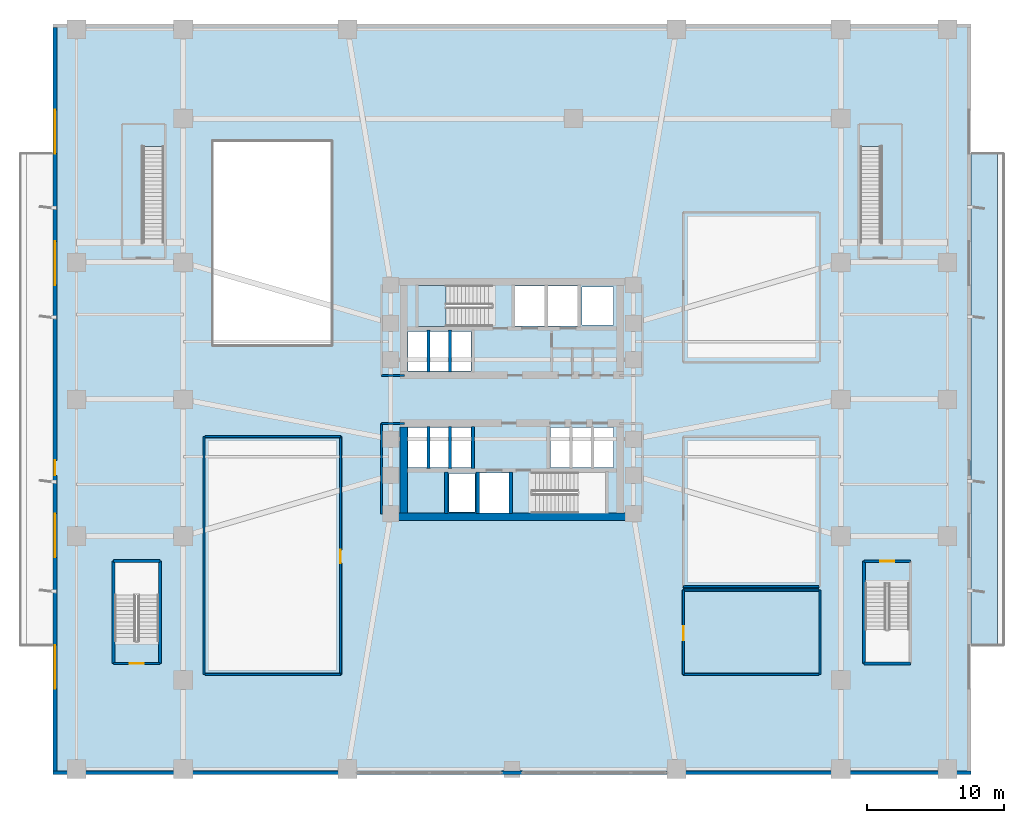
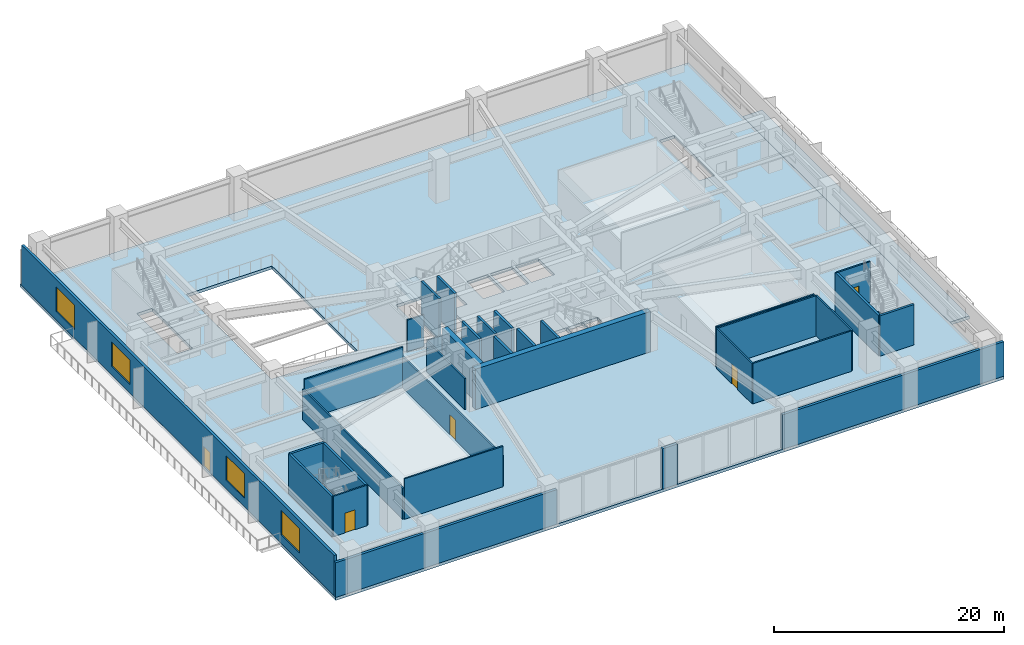
# One storey, part 6 of 13: 33 walls, 5 doors, 4 windows, 3 slabs, 9 openings, 1 element without a shape of its own.
"""IFC4 building model written with IfcOpenShell, lengths in metres."""

from ifc_helpers import new_model, si_unit, direction, frame, frame_2d, origin, place, context, subcontext, project, spatial, polyline, rectangle, outline, extrude, material, layer, layer_set, type_object, element, fill, aggregate, save


model = new_model("IFC4")

# Units and contexts
model_context = context("Model", 3, precision=1e-05, world=origin(), true_north=direction((0.0, 1.0)))
body_context = subcontext(model_context, "Body", "Model", "MODEL_VIEW")
ifc_project = project(units=[si_unit("LENGTHUNIT", "METRE"), si_unit("AREAUNIT", "SQUARE_METRE"), si_unit("VOLUMEUNIT", "CUBIC_METRE"), si_unit("PLANEANGLEUNIT", "RADIAN"), si_unit("MASSUNIT", "GRAM", prefix="KILO")], contexts=[model_context])

# Site, building, storey
site_placement = place(None, origin())
site = spatial("IfcSite", under=ifc_project, at=site_placement, CompositionType="ELEMENT")
building_placement = place(site_placement, origin())
building = spatial("IfcBuilding", under=site, at=building_placement, Name="Solmarez Civic Tower", CompositionType="ELEMENT")
storey_placement = place(building_placement, frame((0.0, 0.0, 14.760009765625)))
storey = spatial("IfcBuildingStorey", under=building, at=storey_placement, Name="L03", CompositionType="ELEMENT", Elevation=14.760009765625)

# Stair, slab
ifc_material_1 = material(Name="Concrete C50/60", Category="concrete")
stair_type = type_object("IfcStairType", Name="STAIR-DOGLEG-140W-26R-1800", PredefinedType="HALF_TURN_STAIR", material=ifc_material_1)
stair_placement = place(storey_placement, origin())
stair = element("IfcStair", 1, at=stair_placement, inside=storey, type_object=stair_type, Name="L03 North Core Protected Exit Stair ST-1", PredefinedType="HALF_TURN_STAIR")
ifc_layer_1 = layer(ifc_material_1, 0.199951171875)
ifc_layer_set_1 = layer_set([ifc_layer_1], Name="Concrete C50/60")
slab_type_1 = type_object("IfcSlabType", Name="SLAB-LANDING-200", PredefinedType="LANDING", material=ifc_layer_set_1)
slab_1_placement = place(storey_placement, frame((0.0, 0.0, 2.139892578125)))
slab_1 = element("IfcSlab", 2, at=slab_1_placement, type_object=slab_type_1, Name="ST-1 landing 1", PredefinedType="LANDING", context=body_context, shape_type="SweptSolid", body=[
    extrude(outline(polyline([(-4.81005859375, 8.320068359375), (-6.85009765625, 8.320068359375), (-6.85009765625, 5.320068359375), (-4.81005859375, 5.320068359375), (-4.81005859375, 8.320068359375)])), origin(), (0.0, 0.0, 1.0), 0.2001953125),
])
aggregate(stair, [slab_1])

# Slabs
ifc_layer_2 = layer(ifc_material_1, 0.320068359375)
ifc_layer_set_2 = layer_set([ifc_layer_2], Name="Concrete C50/60")
slab_type_2 = type_object("IfcSlabType", Name="SLAB-POD-320", PredefinedType="FLOOR", material=ifc_layer_set_2)
slab_2_placement = place(storey_placement, frame((0.0, 0.0, -0.320068359375)))
element("IfcSlab", 3, at=slab_2_placement, inside=storey, type_object=slab_type_2, Name="L03 Structural Slab", PredefinedType="FLOOR", context=body_context, shape_type="SweptSolid", body=[
    extrude(outline(polyline([(33.5, -27.39990234375), (33.5, 27.39990234375), (-33.5, 27.39990234375), (-33.5, -27.39990234375), (33.5, -27.39990234375)]), holes=[polyline([(-1.449951171875, 8.320068359375), (-6.85009765625, 8.320068359375), (-6.85009765625, 5.320068359375), (-1.449951171875, 5.320068359375), (-1.449951171875, 8.320068359375)]), polyline([(1.449951171875, -8.320068359375), (6.85009765625, -8.320068359375), (6.85009765625, -5.320068359375), (1.449951171875, -5.320068359375), (1.449951171875, -8.320068359375)]), polyline([(-25.800048828125, -17.64990234375), (-25.800048828125, -11.89990234375), (-29.0, -11.89990234375), (-29.0, -17.64990234375), (-25.800048828125, -17.64990234375)]), polyline([(25.800048828125, -13.449951171875), (25.800048828125, -19.199951171875), (29.0, -19.199951171875), (29.0, -13.449951171875), (25.800048828125, -13.449951171875)]), polyline([(0.219970703125, 5.360107421875), (2.3798828125, 5.360107421875), (2.3798828125, 8.280029296875), (0.219970703125, 8.280029296875), (0.219970703125, 5.360107421875)]), polyline([(2.6201171875, 5.360107421875), (4.780029296875, 5.360107421875), (4.780029296875, 8.280029296875), (2.6201171875, 8.280029296875), (2.6201171875, 5.360107421875)]), polyline([(-2.3798828125, -8.280029296875), (-0.219970703125, -8.280029296875), (-0.219970703125, -5.360107421875), (-2.3798828125, -5.360107421875), (-2.3798828125, -8.280029296875)]), polyline([(2.800048828125, -4.9599609375), (4.280029296875, -4.9599609375), (4.280029296875, -2.06005859375), (2.800048828125, -2.06005859375), (2.800048828125, -4.9599609375)]), polyline([(4.360107421875, -4.9599609375), (5.840087890625, -4.9599609375), (5.840087890625, -2.06005859375), (4.360107421875, -2.06005859375), (4.360107421875, -4.9599609375)]), polyline([(5.919921875, -4.9599609375), (7.39990234375, -4.9599609375), (7.39990234375, -2.06005859375), (5.919921875, -2.06005859375), (5.919921875, -4.9599609375)]), polyline([(-7.60009765625, -4.9599609375), (-6.1201171875, -4.9599609375), (-6.1201171875, -2.06005859375), (-7.60009765625, -2.06005859375), (-7.60009765625, -4.9599609375)]), polyline([(-6.0400390625, -4.9599609375), (-4.56005859375, -4.9599609375), (-4.56005859375, -2.06005859375), (-6.0400390625, -2.06005859375), (-6.0400390625, -4.9599609375)]), polyline([(-4.47998046875, -4.9599609375), (-3.0, -4.9599609375), (-3.0, -2.06005859375), (-4.47998046875, -2.06005859375), (-4.47998046875, -4.9599609375)]), polyline([(-7.60009765625, 2.06005859375), (-6.1201171875, 2.06005859375), (-6.1201171875, 4.9599609375), (-7.60009765625, 4.9599609375), (-7.60009765625, 2.06005859375)]), polyline([(-6.0400390625, 2.06005859375), (-4.56005859375, 2.06005859375), (-4.56005859375, 4.9599609375), (-6.0400390625, 4.9599609375), (-6.0400390625, 2.06005859375)]), polyline([(-4.47998046875, 2.06005859375), (-3.0, 2.06005859375), (-3.0, 4.9599609375), (-4.47998046875, 4.9599609375), (-4.47998046875, 2.06005859375)]), polyline([(5.10009765625, 5.419921875), (7.39990234375, 5.419921875), (7.39990234375, 8.219970703125), (5.10009765625, 8.219970703125), (5.10009765625, 5.419921875)]), polyline([(-4.60009765625, -8.219970703125), (-2.699951171875, -8.219970703125), (-2.699951171875, -5.419921875), (-4.60009765625, -5.419921875), (-4.60009765625, -8.219970703125)]), polyline([(-21.800048828125, 4.0), (-13.199951171875, 4.0), (-13.199951171875, 18.800048828125), (-21.800048828125, 18.800048828125), (-21.800048828125, 4.0)]), polyline([(-26.949951171875, 11.449951171875), (-25.39990234375, 11.449951171875), (-25.39990234375, 18.449951171875), (-26.949951171875, 18.449951171875), (-26.949951171875, 11.449951171875)]), polyline([(25.39990234375, 11.449951171875), (26.949951171875, 11.449951171875), (26.949951171875, 18.449951171875), (25.39990234375, 18.449951171875), (25.39990234375, 11.449951171875)])]), origin(), (0.0, 0.0, 1.0), 0.320068359375),
])
slab_3_placement = place(storey_placement, frame((0.0, 0.0, -0.320068359375)))
element("IfcSlab", 4, at=slab_3_placement, inside=storey, type_object=slab_type_2, Name="L03 Civic Podium Terrace TERR-L03-E", PredefinedType="FLOOR", context=body_context, shape_type="SweptSolid", body=[
    extrude(outline(polyline([(33.501953125, -18.0), (35.449951171875, -18.0), (35.449951171875, 18.0), (33.501953125, 18.0), (33.501953125, -18.0)])), origin(), (0.0, 0.0, 1.0), 0.320068359375),
])

# Walls
ifc_material_2 = material(Name="Concrete C60/75", Category="concrete")
ifc_layer_3 = layer(ifc_material_2, 0.550048828125)
ifc_layer_set_3 = layer_set([ifc_layer_3], Name="Concrete C60/75")
wall_type_1 = type_object("IfcWallType", Name="WALL-CORE-550", PredefinedType="SHEAR", material=ifc_layer_set_3)
wall_1_placement = place(storey_placement, frame((8.780029296875, -8.5849609375, 0.0), z_axis=(0.0, 0.0, 1.0), x_axis=(-1.0, 0.0, 0.0)))
element("IfcWall", 5, at=wall_1_placement, inside=storey, type_object=wall_type_1, Name="L03 Split-Core Structural Wall SCW-S-L03", PredefinedType="SHEAR", context=body_context, shape_type="SweptSolid", body=[
    extrude(rectangle(XDim=17.56005859375, YDim=0.550048828125, at=frame_2d((8.780029296875, 0.0))), origin(), (0.0, 0.0, 1.0), 4.280029296875),
])
wall_2_placement = place(storey_placement, frame((-7.89501953125, -8.31005859375, 0.0), z_axis=(0.0, 0.0, 1.0), x_axis=(0.0, 1.0, 0.0)))
element("IfcWall", 6, at=wall_2_placement, inside=storey, type_object=wall_type_1, Name="L03 Split-Core Structural Wall SCW-W-L03", PredefinedType="SHEAR", context=body_context, shape_type="SweptSolid", body=[
    extrude(rectangle(XDim=6.28515625, YDim=0.550048828125, at=frame_2d((3.142578125, 0.0))), origin(), (0.0, 0.0, 1.0), 4.280029296875),
])

# Wall, openings, door, windows
ifc_material_3 = material(Name="Precast concrete C40/50", Category="concrete")
ifc_layer_4 = layer(ifc_material_3, 0.260009765625)
ifc_layer_set_4 = layer_set([ifc_layer_4], Name="Precast concrete C40/50")
wall_type_2 = type_object("IfcWallType", Name="WALL-EXT-260", PredefinedType="SOLIDWALL", material=ifc_layer_set_4)
wall_3_placement = place(storey_placement, frame((-33.3701171875, -27.139892578125, 0.0), z_axis=(0.0, 0.0, 1.0), x_axis=(0.0, 1.0, 0.0)))
wall_3 = element("IfcWall", 7, at=wall_3_placement, inside=storey, type_object=wall_type_2, Name="L03 West Exterior Precast Wall", PredefinedType="SOLIDWALL", context=body_context, shape_type="SweptSolid", body=[
    extrude(rectangle(XDim=54.27978515625, YDim=0.260009765625, at=frame_2d((27.139892578125, 0.0))), origin(), (0.0, 0.0, 1.0), 4.280029296875),
])
opening_1_placement = place(wall_3_placement, frame((21.590087890625, 0.0, 0.0)))
opening_1 = element("IfcOpeningElement", 8, at=opening_1_placement, cuts=wall_3, Name="Opening D-06", PredefinedType="OPENING", context=body_context, shape_type="SweptSolid", body=[
    extrude(rectangle(XDim=1.10009765625, YDim=2.10009765625, at=frame_2d((0.550048828125, 1.050048828125))), frame((0.0, 0.139892578125, 0.0), z_axis=(0.0, -1.0, 0.0), x_axis=(1.0, 0.0, 0.0)), (0.0, 0.0, 1.0), 0.280029296875),
])
opening_2_placement = place(wall_3_placement, frame((6.0, 0.0, 0.89990234375)))
opening_2 = element("IfcOpeningElement", 9, at=opening_2_placement, cuts=wall_3, Name="Opening W-16", PredefinedType="OPENING", context=body_context, shape_type="SweptSolid", body=[
    extrude(rectangle(XDim=3.199951171875, YDim=2.60009765625, at=frame_2d((1.60009765625, 1.300048828125))), frame((0.0, 0.139892578125, 0.0), z_axis=(0.0, -1.0, 0.0), x_axis=(1.0, 0.0, 0.0)), (0.0, 0.0, 1.0), 0.280029296875),
])
opening_3_placement = place(wall_3_placement, frame((15.60009765625, 0.0, 0.89990234375)))
opening_3 = element("IfcOpeningElement", 10, at=opening_3_placement, cuts=wall_3, Name="Opening W-16", PredefinedType="OPENING", context=body_context, shape_type="SweptSolid", body=[
    extrude(rectangle(XDim=3.199951171875, YDim=2.60009765625, at=frame_2d((1.60009765625, 1.300048828125))), frame((0.0, 0.139892578125, 0.0), z_axis=(0.0, -1.0, 0.0), x_axis=(1.0, 0.0, 0.0)), (0.0, 0.0, 1.0), 0.280029296875),
])
opening_4_placement = place(wall_3_placement, frame((35.47998046875, 0.0, 0.89990234375)))
opening_4 = element("IfcOpeningElement", 11, at=opening_4_placement, cuts=wall_3, Name="Opening W-16", PredefinedType="OPENING", context=body_context, shape_type="SweptSolid", body=[
    extrude(rectangle(XDim=3.199951171875, YDim=2.60009765625, at=frame_2d((1.60009765625, 1.300048828125))), frame((0.0, 0.139892578125, 0.0), z_axis=(0.0, -1.0, 0.0), x_axis=(1.0, 0.0, 0.0)), (0.0, 0.0, 1.0), 0.280029296875),
])
opening_5_placement = place(wall_3_placement, frame((45.080078125, 0.0, 0.89990234375)))
opening_5 = element("IfcOpeningElement", 12, at=opening_5_placement, cuts=wall_3, Name="Opening W-16", PredefinedType="OPENING", context=body_context, shape_type="SweptSolid", body=[
    extrude(rectangle(XDim=3.199951171875, YDim=2.60009765625, at=frame_2d((1.60009765625, 1.300048828125))), frame((0.0, 0.139892578125, 0.0), z_axis=(0.0, -1.0, 0.0), x_axis=(1.0, 0.0, 0.0)), (0.0, 0.0, 1.0), 0.280029296875),
])
ifc_material_4 = material(Name="Bronze Anodised Aluminium Glazed Terrace Door", Category="aluminium")
door_type_1 = type_object("IfcDoorType", Name="DOOR-TERR-1100", OperationType="NOTDEFINED", PredefinedType="DOOR", material=ifc_material_4)
door_1_placement = place(opening_1_placement, origin())
door_1 = element("IfcDoor", 13, at=door_1_placement, inside=storey, type_object=door_type_1, Name="L03 West Civic Terrace Door", OperationType="SINGLE_SWING_RIGHT", OverallHeight=2.10009765625, OverallWidth=1.10009765625, PredefinedType="DOOR", context=body_context, shape_type="SweptSolid", body=[
    extrude(rectangle(XDim=1.10009765625, YDim=2.10009765625, at=frame_2d((0.550048828125, 1.050048828125))), frame((0.0, 0.02490234375, 0.0), z_axis=(0.0, -1.0, 0.0), x_axis=(1.0, 0.0, 0.0)), (0.0, 0.0, 1.0), 0.050048828125),
])
fill(opening_1, door_1)
ifc_material_5 = material(Name="Solar Control Bronze-Tinted Insulating Glass", Category="glass")
window_type = type_object("IfcWindowType", Name="WIN-3200X2600", PartitioningType="SINGLE_PANEL", PredefinedType="WINDOW", material=ifc_material_5)
window_1_placement = place(opening_2_placement, origin())
window_1 = element("IfcWindow", 14, at=window_1_placement, inside=storey, type_object=window_type, Name="L03 Podium Facade Window 1", OverallHeight=2.60009765625, OverallWidth=3.199951171875, PartitioningType="SINGLE_PANEL", PredefinedType="WINDOW", context=body_context, shape_type="SweptSolid", body=[
    extrude(rectangle(XDim=3.199951171875, YDim=2.60009765625, at=frame_2d((1.60009765625, 1.300048828125))), frame((0.0, 0.030029296875, 0.0), z_axis=(0.0, -1.0, 0.0), x_axis=(1.0, 0.0, 0.0)), (0.0, 0.0, 1.0), 0.06005859375),
])
fill(opening_2, window_1)
window_2_placement = place(opening_3_placement, origin())
window_2 = element("IfcWindow", 15, at=window_2_placement, inside=storey, type_object=window_type, Name="L03 Podium Facade Window 2", OverallHeight=2.60009765625, OverallWidth=3.199951171875, PartitioningType="SINGLE_PANEL", PredefinedType="WINDOW", context=body_context, shape_type="SweptSolid", body=[
    extrude(rectangle(XDim=3.199951171875, YDim=2.60009765625, at=frame_2d((1.60009765625, 1.300048828125))), frame((0.0, 0.030029296875, 0.0), z_axis=(0.0, -1.0, 0.0), x_axis=(1.0, 0.0, 0.0)), (0.0, 0.0, 1.0), 0.06005859375),
])
fill(opening_3, window_2)
window_3_placement = place(opening_4_placement, origin())
window_3 = element("IfcWindow", 16, at=window_3_placement, inside=storey, type_object=window_type, Name="L03 Podium Facade Window 3", OverallHeight=2.60009765625, OverallWidth=3.199951171875, PartitioningType="SINGLE_PANEL", PredefinedType="WINDOW", context=body_context, shape_type="SweptSolid", body=[
    extrude(rectangle(XDim=3.199951171875, YDim=2.60009765625, at=frame_2d((1.60009765625, 1.300048828125))), frame((0.0, 0.030029296875, 0.0), z_axis=(0.0, -1.0, 0.0), x_axis=(1.0, 0.0, 0.0)), (0.0, 0.0, 1.0), 0.06005859375),
])
fill(opening_4, window_3)
window_4_placement = place(opening_5_placement, origin())
window_4 = element("IfcWindow", 17, at=window_4_placement, inside=storey, type_object=window_type, Name="L03 Podium Facade Window 4", OverallHeight=2.60009765625, OverallWidth=3.199951171875, PartitioningType="SINGLE_PANEL", PredefinedType="WINDOW", context=body_context, shape_type="SweptSolid", body=[
    extrude(rectangle(XDim=3.199951171875, YDim=2.60009765625, at=frame_2d((1.60009765625, 1.300048828125))), frame((0.0, 0.030029296875, 0.0), z_axis=(0.0, -1.0, 0.0), x_axis=(1.0, 0.0, 0.0)), (0.0, 0.0, 1.0), 0.06005859375),
])
fill(opening_5, window_4)

# Walls
wall_4_placement = place(storey_placement, frame((33.5, -27.27001953125, 0.0), z_axis=(0.0, 0.0, 1.0), x_axis=(-1.0, 0.0, 0.0)))
element("IfcWall", 18, at=wall_4_placement, inside=storey, type_object=wall_type_2, Name="L03 South-East Exterior Wall", PredefinedType="SOLIDWALL", context=body_context, shape_type="SweptSolid", body=[
    extrude(rectangle(XDim=22.199951171875, YDim=0.260009765625, at=frame_2d((11.10009765625, 0.0))), origin(), (0.0, 0.0, 1.0), 3.659912109375),
])
wall_5_placement = place(storey_placement, frame((0.75, -27.27001953125, 0.0), z_axis=(0.0, 0.0, 1.0), x_axis=(-1.0, 0.0, 0.0)))
element("IfcWall", 19, at=wall_5_placement, inside=storey, type_object=wall_type_2, Name="L03 South Pier Spandrel Wall", PredefinedType="SOLIDWALL", context=body_context, shape_type="SweptSolid", body=[
    extrude(rectangle(XDim=1.5, YDim=0.260009765625, at=frame_2d((0.75, 0.0))), origin(), (0.0, 0.0, 1.0), 4.280029296875),
])
wall_6_placement = place(storey_placement, frame((-11.300048828125, -27.27001953125, 0.0), z_axis=(0.0, 0.0, 1.0), x_axis=(-1.0, 0.0, 0.0)))
element("IfcWall", 20, at=wall_6_placement, inside=storey, type_object=wall_type_2, Name="L03 South-West Exterior Wall", PredefinedType="SOLIDWALL", context=body_context, shape_type="SweptSolid", body=[
    extrude(rectangle(XDim=22.199951171875, YDim=0.260009765625, at=frame_2d((11.10009765625, 0.0))), origin(), (0.0, 0.0, 1.0), 3.659912109375),
])

# Wall, opening, door
ifc_material_6 = material(Name="Gypsum Board Acoustic Steel-Stud Partition", Category="steel")
ifc_layer_5 = layer(ifc_material_6, 0.14990234375)
ifc_layer_set_5 = layer_set([ifc_layer_5], Name="Gypsum Board Acoustic Steel-Stud Partition")
wall_type_3 = type_object("IfcWallType", Name="WALL-INT-FIRE-150", PredefinedType="PARTITIONING", material=ifc_layer_set_5)
wall_7_placement = place(storey_placement, frame((-29.080078125, -19.280029296875, 0.0), z_axis=(0.0, 0.0, 1.0), x_axis=(1.0, 0.0, 0.0)))
wall_7 = element("IfcWall", 21, at=wall_7_placement, inside=storey, type_object=wall_type_3, Name="L03 Podium Exit Stair STP1 Wall", PredefinedType="PARTITIONING", context=body_context, shape_type="SweptSolid", body=[
    extrude(rectangle(XDim=3.360107421875, YDim=0.14990234375, at=frame_2d((1.68017578125, 0.0))), origin(), (0.0, 0.0, 1.0), 4.280029296875),
])
opening_6_placement = place(wall_7_placement, frame((1.179931640625, 0.0, 0.0)))
opening_6 = element("IfcOpeningElement", 22, at=opening_6_placement, cuts=wall_7, Name="Opening D-05", PredefinedType="OPENING", context=body_context, shape_type="SweptSolid", body=[
    extrude(rectangle(XDim=1.0, YDim=2.10009765625, at=frame_2d((0.5, 1.050048828125))), frame((0.0, 0.0849609375, 0.0), z_axis=(0.0, -1.0, 0.0), x_axis=(1.0, 0.0, 0.0)), (0.0, 0.0, 1.0), 0.169921875),
])
ifc_material_7 = material(Name="Fire-Rated Stairwell Exit Door", Category="wood")
door_type_2 = type_object("IfcDoorType", Name="DOOR-FD90-1000", OperationType="NOTDEFINED", PredefinedType="DOOR", material=ifc_material_7)
door_2_placement = place(opening_6_placement, origin())
door_2 = element("IfcDoor", 23, at=door_2_placement, inside=storey, type_object=door_type_2, Name="L03 Podium Exit Stair STP1 Door", OperationType="SINGLE_SWING_RIGHT", OverallHeight=2.10009765625, OverallWidth=1.0, PredefinedType="DOOR", context=body_context, shape_type="SweptSolid", body=[
    extrude(rectangle(XDim=1.0, YDim=2.10009765625, at=frame_2d((0.5, 1.050048828125))), frame((0.0, 0.02490234375, 0.0), z_axis=(0.0, -1.0, 0.0), x_axis=(1.0, 0.0, 0.0)), (0.0, 0.0, 1.0), 0.050048828125),
])
fill(opening_6, door_2)

wall_8_placement = place(storey_placement, frame((29.080078125, -11.820068359375, 0.0), z_axis=(0.0, 0.0, 1.0), x_axis=(-1.0, 0.0, 0.0)))
wall_8 = element("IfcWall", 24, at=wall_8_placement, inside=storey, type_object=wall_type_3, Name="L03 Podium Exit Stair STP2 Wall", PredefinedType="PARTITIONING", context=body_context, shape_type="SweptSolid", body=[
    extrude(rectangle(XDim=3.360107421875, YDim=0.14990234375, at=frame_2d((1.68017578125, 0.0))), origin(), (0.0, 0.0, 1.0), 4.280029296875),
])
opening_7_placement = place(wall_8_placement, frame((1.179931640625, 0.0, 0.0)))
opening_7 = element("IfcOpeningElement", 25, at=opening_7_placement, cuts=wall_8, Name="Opening D-05", PredefinedType="OPENING", context=body_context, shape_type="SweptSolid", body=[
    extrude(rectangle(XDim=1.0, YDim=2.10009765625, at=frame_2d((0.5, 1.050048828125))), frame((0.0, 0.0849609375, 0.0), z_axis=(0.0, -1.0, 0.0), x_axis=(1.0, 0.0, 0.0)), (0.0, 0.0, 1.0), 0.169921875),
])
door_3_placement = place(opening_7_placement, origin())
door_3 = element("IfcDoor", 26, at=door_3_placement, inside=storey, type_object=door_type_2, Name="L03 Podium Exit Stair STP2 Door", OperationType="SINGLE_SWING_LEFT", OverallHeight=2.10009765625, OverallWidth=1.0, PredefinedType="DOOR", context=body_context, shape_type="SweptSolid", body=[
    extrude(rectangle(XDim=1.0, YDim=2.10009765625, at=frame_2d((0.5, 1.050048828125))), frame((0.0, 0.02490234375, 0.0), z_axis=(0.0, -1.0, 0.0), x_axis=(1.0, 0.0, 0.0)), (0.0, 0.0, 1.0), 0.050048828125),
])
fill(opening_7, door_3)

# Walls
wall_9_placement = place(storey_placement, frame((-7.85009765625, 1.75, 0.0), z_axis=(0.0, 0.0, 1.0), x_axis=(-1.0, 0.0, 0.0)))
element("IfcWall", 27, at=wall_9_placement, inside=storey, type_object=wall_type_3, Name="L03 Interior Partition CHW-L03-WN3", PredefinedType="PARTITIONING", context=body_context, shape_type="SweptSolid", body=[
    extrude(rectangle(XDim=1.669921875, YDim=0.14990234375, at=frame_2d((0.8349609375, 0.0))), origin(), (0.0, 0.0, 1.0), 3.344970703125),
])
wall_10_placement = place(storey_placement, frame((-9.52001953125, -8.3798828125, 0.0), z_axis=(0.0, 0.0, 1.0), x_axis=(0.0, 1.0, 0.0)))
element("IfcWall", 28, at=wall_10_placement, inside=storey, type_object=wall_type_3, Name="L03 Interior Partition CHW-L03-WS1", PredefinedType="PARTITIONING", context=body_context, shape_type="SweptSolid", body=[
    extrude(rectangle(XDim=6.6298828125, YDim=0.14990234375, at=frame_2d((3.31494140625, 0.0))), origin(), (0.0, 0.0, 1.0), 3.2900390625),
])
wall_11_placement = place(storey_placement, frame((-7.85009765625, -1.75, 0.0), z_axis=(0.0, 0.0, 1.0), x_axis=(-1.0, 0.0, 0.0)))
element("IfcWall", 29, at=wall_11_placement, inside=storey, type_object=wall_type_3, Name="L03 Interior Partition CHW-L03-WS3", PredefinedType="PARTITIONING", context=body_context, shape_type="SweptSolid", body=[
    extrude(rectangle(XDim=1.669921875, YDim=0.14990234375, at=frame_2d((0.8349609375, 0.0))), origin(), (0.0, 0.0, 1.0), 3.344970703125),
])
wall_12_placement = place(storey_placement, frame((-22.47998046875, -20.080078125, 0.0), z_axis=(0.0, 0.0, 1.0), x_axis=(0.0, 1.0, 0.0)))
element("IfcWall", 30, at=wall_12_placement, inside=storey, type_object=wall_type_3, Name="L03 Interior Partition PT-L0X-L03-SW1-B", PredefinedType="PARTITIONING", context=body_context, shape_type="SweptSolid", body=[
    extrude(rectangle(XDim=17.360107421875, YDim=0.14990234375, at=frame_2d((8.68017578125, 0.0))), origin(), (0.0, 0.0, 1.0), 3.2900390625),
])
wall_13_placement = place(storey_placement, frame((22.47998046875, -20.080078125, 0.0), z_axis=(0.0, 0.0, 1.0), x_axis=(0.0, 1.0, 0.0)))
element("IfcWall", 31, at=wall_13_placement, inside=storey, type_object=wall_type_3, Name="L03 Interior Partition PT-L0X-L03-WC3-B", PredefinedType="PARTITIONING", context=body_context, shape_type="SweptSolid", body=[
    extrude(rectangle(XDim=6.16015625, YDim=0.14990234375, at=frame_2d((3.080078125, 0.0))), origin(), (0.0, 0.0, 1.0), 4.280029296875),
])

# Wall, opening, door
ifc_layer_6 = layer(ifc_material_6, 0.14501953125)
ifc_layer_set_6 = layer_set([ifc_layer_6], Name="Gypsum Board Acoustic Steel-Stud Partition")
wall_type_4 = type_object("IfcWallType", Name="WALL-INT-PART-150", PredefinedType="PARTITIONING", material=ifc_layer_set_6)
wall_14_placement = place(storey_placement, frame((-12.52001953125, -2.719970703125, 0.0), z_axis=(0.0, 0.0, 1.0), x_axis=(0.0, -1.0, 0.0)))
wall_14 = element("IfcWall", 32, at=wall_14_placement, inside=storey, type_object=wall_type_4, Name="L03 Interior Partition PT-L0X-L03-SW1-F", PredefinedType="PARTITIONING", context=body_context, shape_type="SweptSolid", body=[
    extrude(rectangle(XDim=17.360107421875, YDim=0.14501953125, at=frame_2d((8.68017578125, 0.0))), origin(), (0.0, 0.0, 1.0), 3.2900390625),
])
opening_8_placement = place(wall_14_placement, frame((8.260009765625, 0.0, 0.0)))
opening_8 = element("IfcOpeningElement", 33, at=opening_8_placement, cuts=wall_14, Name="Opening D-04", PredefinedType="OPENING", context=body_context, shape_type="SweptSolid", body=[
    extrude(rectangle(XDim=1.0, YDim=2.10009765625, at=frame_2d((0.5, 1.050048828125))), frame((0.0, 0.08251953125, 0.0), z_axis=(0.0, -1.0, 0.0), x_axis=(1.0, 0.0, 0.0)), (0.0, 0.0, 1.0), 0.1650390625),
])
ifc_material_8 = material(Name="Steel-Faced Acoustic Fire Door", Category="steel")
door_type_3 = type_object("IfcDoorType", Name="DOOR-FD60-1000", OperationType="NOTDEFINED", PredefinedType="DOOR", material=ifc_material_8)
door_4_placement = place(opening_8_placement, origin())
door_4 = element("IfcDoor", 34, at=door_4_placement, inside=storey, type_object=door_type_3, Name="L03 Civic Press Auditorium Theatre Door", OperationType="SINGLE_SWING_LEFT", OverallHeight=2.10009765625, OverallWidth=1.0, PredefinedType="DOOR", context=body_context, shape_type="SweptSolid", body=[
    extrude(rectangle(XDim=1.0, YDim=2.10009765625, at=frame_2d((0.5, 1.050048828125))), frame((0.0, 0.02490234375, 0.0), z_axis=(0.0, -1.0, 0.0), x_axis=(1.0, 0.0, 0.0)), (0.0, 0.0, 1.0), 0.050048828125),
])
fill(opening_8, door_4)

# Walls
for number, where, z_axis, x_axis, name in (
    (35, (-22.39990234375, -20.080078125, 0.0), (0.0, 0.0, 1.0), (1.0, 0.0, 0.0), "L03 Interior Partition PT-L0X-L03-SW1-S"),
    (36, (-22.39990234375, -2.719970703125, 0.0), (0.0, 0.0, 1.0), (1.0, 0.0, 0.0), "L03 Interior Partition PT-L0X-L03-SW1-N"),
    (37, (12.52001953125, -13.679931640625, 0.0), (0.0, 0.0, 1.0), (1.0, 0.0, 0.0), "L03 Interior Partition PT-L0X-L03-SE1-S"),
):
    element("IfcWall", number, at=place(storey_placement, frame(where, z_axis=z_axis, x_axis=x_axis)), inside=storey, type_object=wall_type_4, Name=name, PredefinedType="PARTITIONING", context=body_context, shape_type="SweptSolid", body=[
        extrude(rectangle(XDim=9.8798828125, YDim=0.14501953125, at=frame_2d((4.93994140625, 0.0))), origin(), (0.0, 0.0, 1.0), 4.280029296875),
    ])

# Wall, opening, door
wall_15_placement = place(storey_placement, frame((12.52001953125, -20.080078125, 0.0), z_axis=(0.0, 0.0, 1.0), x_axis=(0.0, 1.0, 0.0)))
wall_15 = element("IfcWall", 38, at=wall_15_placement, inside=storey, type_object=wall_type_4, Name="L03 Interior Partition PT-L0X-L03-WC3-F", PredefinedType="PARTITIONING", context=body_context, shape_type="SweptSolid", body=[
    extrude(rectangle(XDim=6.16015625, YDim=0.14501953125, at=frame_2d((3.080078125, 0.0))), origin(), (0.0, 0.0, 1.0), 4.280029296875),
])
opening_9_placement = place(wall_15_placement, frame((2.5, 0.0, 0.0)))
opening_9 = element("IfcOpeningElement", 39, at=opening_9_placement, cuts=wall_15, Name="Opening D-04", PredefinedType="OPENING", context=body_context, shape_type="SweptSolid", body=[
    extrude(rectangle(XDim=1.0, YDim=2.10009765625, at=frame_2d((0.5, 1.050048828125))), frame((0.0, 0.08251953125, 0.0), z_axis=(0.0, -1.0, 0.0), x_axis=(1.0, 0.0, 0.0)), (0.0, 0.0, 1.0), 0.1650390625),
])
door_5_placement = place(opening_9_placement, origin())
door_5 = element("IfcDoor", 40, at=door_5_placement, inside=storey, type_object=door_type_3, Name="L03 Press Level Accessible Restrooms Door", OperationType="SINGLE_SWING_LEFT", OverallHeight=2.10009765625, OverallWidth=1.0, PredefinedType="DOOR", context=body_context, shape_type="SweptSolid", body=[
    extrude(rectangle(XDim=1.0, YDim=2.10009765625, at=frame_2d((0.5, 1.050048828125))), frame((0.0, 0.02490234375, 0.0), z_axis=(0.0, -1.0, 0.0), x_axis=(1.0, 0.0, 0.0)), (0.0, 0.0, 1.0), 0.050048828125),
])
fill(opening_9, door_5)

# Walls
for number, where, z_axis, x_axis, name in (
    (41, (12.52001953125, -20.080078125, 0.0), (0.0, 0.0, 1.0), (1.0, 0.0, 0.0), "L03 Interior Partition PT-L0X-L03-WC3-S"),
    (42, (12.52001953125, -13.919921875, 0.0), (0.0, 0.0, 1.0), (1.0, 0.0, 0.0), "L03 Interior Partition PT-L0X-L03-WC3-N"),
):
    element("IfcWall", number, at=place(storey_placement, frame(where, z_axis=z_axis, x_axis=x_axis)), inside=storey, type_object=wall_type_4, Name=name, PredefinedType="PARTITIONING", context=body_context, shape_type="SweptSolid", body=[
        extrude(rectangle(XDim=9.8798828125, YDim=0.14501953125, at=frame_2d((4.93994140625, 0.0))), origin(), (0.0, 0.0, 1.0), 4.280029296875),
    ])
ifc_layer_7 = layer(ifc_material_1, 0.300048828125)
ifc_layer_set_7 = layer_set([ifc_layer_7], Name="Concrete C50/60")
wall_type_5 = type_object("IfcWallType", Name="WALL-STR-300", PredefinedType="SOLIDWALL", material=ifc_layer_set_7)
for number, where, z_axis, x_axis, name in (
    (43, (-0.10009765625, -8.340087890625, 0.0), (0.0, 0.0, 1.0), (0.0, 1.0, 0.0), "L03 Split-Core Structural Wall SHW-S1-L03"),
    (44, (-2.5, -8.340087890625, 0.0), (0.0, 0.0, 1.0), (0.0, 1.0, 0.0), "L03 Split-Core Structural Wall SHW-S2-L03"),
    (45, (-4.800048828125, -8.340087890625, 0.0), (0.0, 0.0, 1.0), (0.0, 1.0, 0.0), "L03 Split-Core Structural Wall SHW-S3-L03"),
):
    element("IfcWall", number, at=place(storey_placement, frame(where, z_axis=z_axis, x_axis=x_axis)), inside=storey, type_object=wall_type_5, Name=name, PredefinedType="SOLIDWALL", context=body_context, shape_type="SweptSolid", body=[
        extrude(rectangle(XDim=3.0400390625, YDim=0.25, at=frame_2d((1.52001953125, 0.0))), origin(), (0.0, 0.0, 1.0), 4.280029296875),
    ])
wall_16_placement = place(storey_placement, frame((-2.85009765625, -5.050048828125, 0.0), z_axis=(0.0, 0.0, 1.0), x_axis=(0.0, 1.0, 0.0)))
element("IfcWall", 46, at=wall_16_placement, inside=storey, type_object=wall_type_5, Name="L03 Split-Core Structural Wall SHW-SL1-L03", PredefinedType="SOLIDWALL", context=body_context, shape_type="SweptSolid", body=[
    extrude(rectangle(XDim=3.070068359375, YDim=0.25, at=frame_2d((1.53515625, 0.0))), origin(), (0.0, 0.0, 1.0), 4.280029296875),
])
for number, where, z_axis, x_axis, name in (
    (47, (-6.080078125, 1.97998046875, 0.0), (0.0, 0.0, 1.0), (0.0, 1.0, 0.0), "L03 Split-Core Structural Wall SHW-PLH-L03-1"),
    (48, (-4.52001953125, 1.97998046875, 0.0), (0.0, 0.0, 1.0), (0.0, 1.0, 0.0), "L03 Split-Core Structural Wall SHW-PLH-L03-2"),
    (49, (-6.080078125, -5.050048828125, 0.0), (0.0, 0.0, 1.0), (0.0, 1.0, 0.0), "L03 Split-Core Structural Wall SHW-PLM-L03-1"),
    (50, (-4.52001953125, -5.050048828125, 0.0), (0.0, 0.0, 1.0), (0.0, 1.0, 0.0), "L03 Split-Core Structural Wall SHW-PLM-L03-2"),
):
    element("IfcWall", number, at=place(storey_placement, frame(where, z_axis=z_axis, x_axis=x_axis)), inside=storey, type_object=wall_type_5, Name=name, PredefinedType="SOLIDWALL", context=body_context, shape_type="SweptSolid", body=[
        extrude(rectangle(XDim=3.070068359375, YDim=0.219970703125, at=frame_2d((1.53515625, 0.0))), origin(), (0.0, 0.0, 1.0), 4.280029296875),
    ])
for number, where, z_axis, x_axis, name in (
    (51, (-29.10009765625, -19.300048828125, 0.0), (0.0, 0.0, 1.0), (0.0, 1.0, 0.0), "L03 Podium Stair Structural Wall STP1-W"),
    (52, (-25.699951171875, -19.300048828125, 0.0), (0.0, 0.0, 1.0), (0.0, 1.0, 0.0), "L03 Podium Stair Structural Wall STP1-E"),
):
    element("IfcWall", number, at=place(storey_placement, frame(where, z_axis=z_axis, x_axis=x_axis)), inside=storey, type_object=wall_type_5, Name=name, PredefinedType="SOLIDWALL", context=body_context, shape_type="SweptSolid", body=[
        extrude(rectangle(XDim=7.5, YDim=0.219970703125, at=frame_2d((3.75, 0.0))), origin(), (0.0, 0.0, 1.0), 4.280029296875),
    ])
wall_17_placement = place(storey_placement, frame((-29.10009765625, -11.800048828125, 0.0), z_axis=(0.0, 0.0, 1.0), x_axis=(1.0, 0.0, 0.0)))
element("IfcWall", 53, at=wall_17_placement, inside=storey, type_object=wall_type_5, Name="L03 Podium Stair Structural Wall STP1-N", PredefinedType="SOLIDWALL", context=body_context, shape_type="SweptSolid", body=[
    extrude(rectangle(XDim=3.400146484375, YDim=0.219970703125, at=frame_2d((1.7001953125, 0.0))), origin(), (0.0, 0.0, 1.0), 4.280029296875),
])
wall_18_placement = place(storey_placement, frame((25.699951171875, -19.300048828125, 0.0), z_axis=(0.0, 0.0, 1.0), x_axis=(0.0, 1.0, 0.0)))
element("IfcWall", 54, at=wall_18_placement, inside=storey, type_object=wall_type_5, Name="L03 Podium Stair Structural Wall STP2-W", PredefinedType="SOLIDWALL", context=body_context, shape_type="SweptSolid", body=[
    extrude(rectangle(XDim=7.5, YDim=0.219970703125, at=frame_2d((3.75, 0.0))), origin(), (0.0, 0.0, 1.0), 4.280029296875),
])
wall_19_placement = place(storey_placement, frame((25.699951171875, -19.300048828125, 0.0), z_axis=(0.0, 0.0, 1.0), x_axis=(1.0, 0.0, 0.0)))
element("IfcWall", 55, at=wall_19_placement, inside=storey, type_object=wall_type_5, Name="L03 Podium Stair Structural Wall STP2-S", PredefinedType="SOLIDWALL", context=body_context, shape_type="SweptSolid", body=[
    extrude(rectangle(XDim=3.400146484375, YDim=0.219970703125, at=frame_2d((1.7001953125, 0.0))), origin(), (0.0, 0.0, 1.0), 4.280029296875),
])

save(model, "model.ifc")
